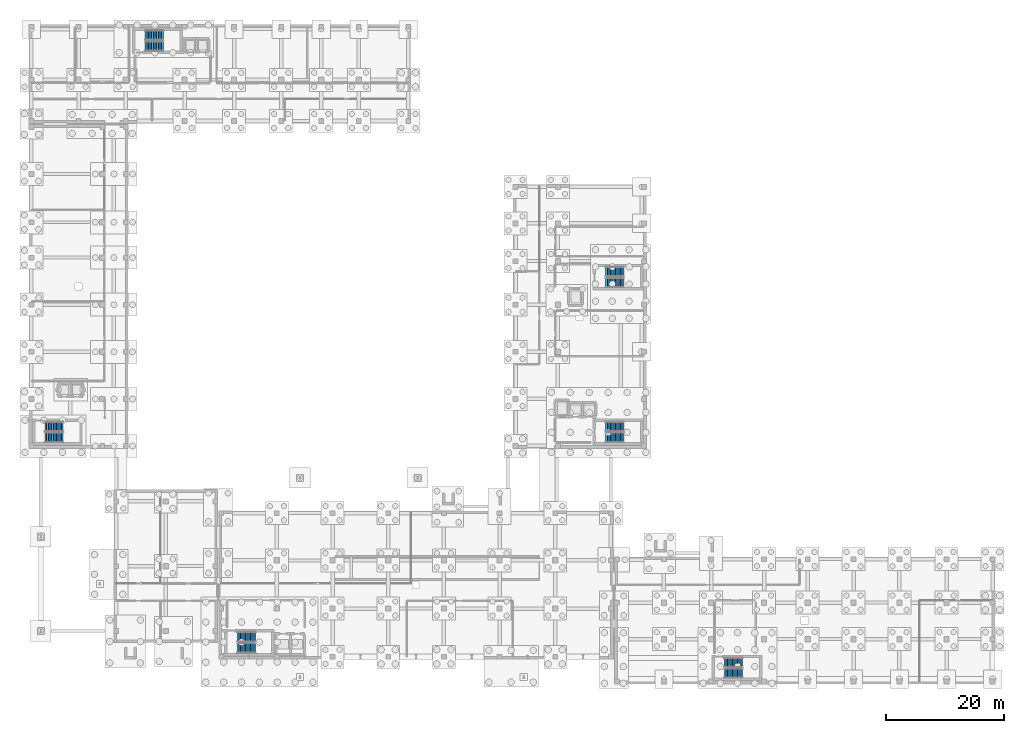
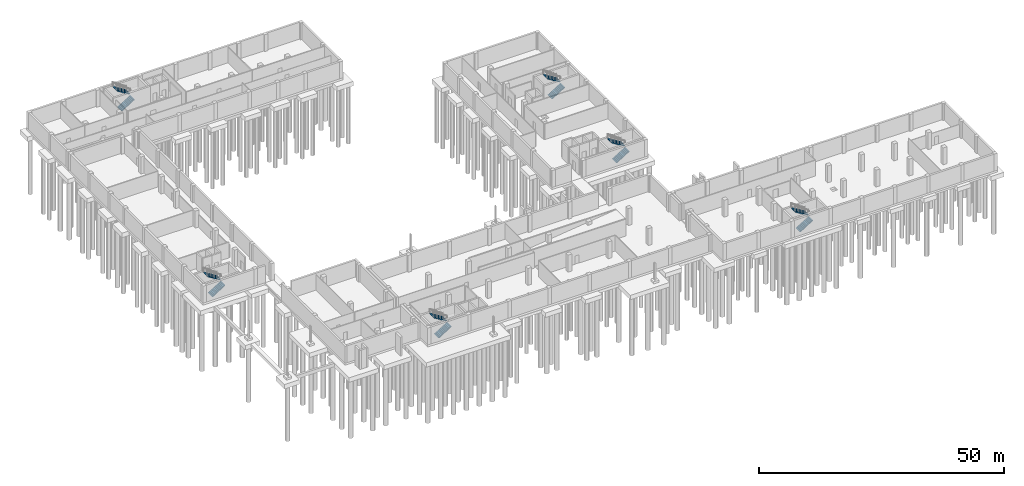
# One storey, part 24 of 31: 12 stair flights, 6 elements without a shape of their own.
"""IFC4 building model written with IfcOpenShell, lengths in metres."""

from ifc_helpers import new_model, si_unit, direction, frame, origin, place, context, subcontext, project, spatial, polyline, outline, extrude, material, type_object, element, aggregate, save


model = new_model("IFC4")

# Units and contexts
model_context = context("Model", 3, precision=1e-05, world=origin(), true_north=direction((0.0, 1.0)))
body_context = subcontext(model_context, "Body", "Model", "MODEL_VIEW")
ifc_project = project(units=[si_unit("LENGTHUNIT", "METRE"), si_unit("AREAUNIT", "SQUARE_METRE"), si_unit("VOLUMEUNIT", "CUBIC_METRE"), si_unit("PLANEANGLEUNIT", "RADIAN"), si_unit("MASSUNIT", "GRAM", prefix="KILO")], contexts=[model_context])

# Site, building, storey
site_placement = place(None, origin())
site = spatial("IfcSite", under=ifc_project, at=site_placement, CompositionType="ELEMENT")
building_placement = place(site_placement, origin())
building = spatial("IfcBuilding", under=site, at=building_placement, Name="Qalavern Law Courts", CompositionType="ELEMENT")
storey_placement = place(building_placement, frame((0.0, 0.0, -8.39990234375)))
storey = spatial("IfcBuildingStorey", under=building, at=storey_placement, Name="B2", CompositionType="ELEMENT", Elevation=-8.39990234375)

# Stair, stair flights
ifc_material = material(Name="Concrete C35/45", Category="concrete")
stair_type_1 = type_object("IfcStairType", Name="INT-STAIR-1650", PredefinedType="HALF_TURN_STAIR", material=ifc_material)
stair_1_placement = place(storey_placement, origin())
stair_1 = element("IfcStair", 1, at=stair_1_placement, inside=storey, type_object=stair_type_1, Name="B2 ST-K5", PredefinedType="HALF_TURN_STAIR")
stair_flight_type_1 = type_object("IfcStairFlightType", Name="INT-FLIGHT-1650", PredefinedType="STRAIGHT", material=ifc_material)
stair_flight_1_placement = place(storey_placement, frame((120.050048828125, 2.824951171875, 0.0), z_axis=(0.0, 0.0, 1.0), x_axis=(1.0, 0.0, 0.0)))
stair_flight_1 = element("IfcStairFlight", 2, at=stair_flight_1_placement, type_object=stair_flight_type_1, Name="ST-K5 flight 1", NumberOfRisers=12, NumberOfTreads=11, PredefinedType="STRAIGHT", RiserHeight=0.175, TreadLength=0.28, context=body_context, shape_type="SweptSolid", body=[
    extrude(outline(polyline([(0.0, 0.0), (0.0, 0.175048828125), (0.280029296875, 0.175048828125), (0.280029296875, 0.35009765625), (0.56005859375, 0.35009765625), (0.56005859375, 0.52490234375), (0.840087890625, 0.52490234375), (0.840087890625, 0.699951171875), (1.1201171875, 0.699951171875), (1.1201171875, 0.875), (1.39990234375, 0.875), (1.39990234375, 1.050048828125), (1.679931640625, 1.050048828125), (1.679931640625, 1.22509765625), (1.9599609375, 1.22509765625), (1.9599609375, 1.39990234375), (2.239990234375, 1.39990234375), (2.239990234375, 1.574951171875), (2.52001953125, 1.574951171875), (2.52001953125, 1.75), (2.800048828125, 1.75), (2.800048828125, 1.925048828125), (3.080078125, 1.925048828125), (3.080078125, 2.10009765625), (3.080078125, 1.748291015625), (0.28271484375, 0.0), (0.0, 0.0)])), frame((0.0, 0.824951171875, 0.0), z_axis=(0.0, -1.0, 0.0), x_axis=(1.0, 0.0, 0.0)), (0.0, 0.0, 1.0), 1.64990234375),
])
stair_flight_2_placement = place(storey_placement, frame((123.1298828125, 4.625, 2.099853515625), z_axis=(0.0, 0.0, 1.0), x_axis=(-1.0, 0.0, 0.0)))
stair_flight_2 = element("IfcStairFlight", 3, at=stair_flight_2_placement, type_object=stair_flight_type_1, Name="ST-K5 flight 2", NumberOfRisers=12, NumberOfTreads=11, PredefinedType="STRAIGHT", RiserHeight=0.175, TreadLength=0.28, context=body_context, shape_type="SweptSolid", body=[
    extrude(outline(polyline([(0.0, 0.0), (0.0, 0.175048828125), (0.280029296875, 0.175048828125), (0.280029296875, 0.35009765625), (0.56005859375, 0.35009765625), (0.56005859375, 0.52490234375), (0.840087890625, 0.52490234375), (0.840087890625, 0.699951171875), (1.1201171875, 0.699951171875), (1.1201171875, 0.875), (1.39990234375, 0.875), (1.39990234375, 1.050048828125), (1.679931640625, 1.050048828125), (1.679931640625, 1.22509765625), (1.9599609375, 1.22509765625), (1.9599609375, 1.39990234375), (2.239990234375, 1.39990234375), (2.239990234375, 1.574951171875), (2.52001953125, 1.574951171875), (2.52001953125, 1.75), (2.800048828125, 1.75), (2.800048828125, 1.925048828125), (3.080078125, 1.925048828125), (3.080078125, 2.10009765625), (3.080078125, 1.748291015625), (0.28271484375, 0.0), (0.0, 0.0)])), frame((0.0, 0.824951171875, 0.0), z_axis=(0.0, -1.0, 0.0), x_axis=(1.0, 0.0, 0.0)), (0.0, 0.0, 1.0), 1.64990234375),
])
aggregate(stair_1, [stair_flight_1, stair_flight_2])

stair_type_2 = type_object("IfcStairType", Name="INT-STAIR-1700", PredefinedType="HALF_TURN_STAIR", material=ifc_material)
stair_2_placement = place(storey_placement, origin())
stair_2 = element("IfcStair", 4, at=stair_2_placement, inside=storey, type_object=stair_type_2, Name="B2 ST-K1A", PredefinedType="HALF_TURN_STAIR")
stair_flight_type_2 = type_object("IfcStairFlightType", Name="INT-FLIGHT-1700", PredefinedType="STRAIGHT", material=ifc_material)
stair_flight_3_placement = place(storey_placement, frame((99.89990234375, 42.85009765625, 0.0), z_axis=(0.0, 0.0, 1.0), x_axis=(1.0, 0.0, 0.0)))
stair_flight_3 = element("IfcStairFlight", 5, at=stair_flight_3_placement, type_object=stair_flight_type_2, Name="ST-K1A flight 1", NumberOfRisers=12, NumberOfTreads=11, PredefinedType="STRAIGHT", RiserHeight=0.175, TreadLength=0.28, context=body_context, shape_type="SweptSolid", body=[
    extrude(outline(polyline([(0.0, 0.0), (0.0, 0.175048828125), (0.280029296875, 0.175048828125), (0.280029296875, 0.35009765625), (0.56005859375, 0.35009765625), (0.56005859375, 0.52490234375), (0.840087890625, 0.52490234375), (0.840087890625, 0.699951171875), (1.1201171875, 0.699951171875), (1.1201171875, 0.875), (1.39990234375, 0.875), (1.39990234375, 1.050048828125), (1.679931640625, 1.050048828125), (1.679931640625, 1.22509765625), (1.9599609375, 1.22509765625), (1.9599609375, 1.39990234375), (2.239990234375, 1.39990234375), (2.239990234375, 1.574951171875), (2.52001953125, 1.574951171875), (2.52001953125, 1.75), (2.800048828125, 1.75), (2.800048828125, 1.925048828125), (3.080078125, 1.925048828125), (3.080078125, 2.10009765625), (3.080078125, 1.748291015625), (0.28271484375, 0.0), (0.0, 0.0)])), frame((0.0, 0.85009765625, 0.0), z_axis=(0.0, -1.0, 0.0), x_axis=(1.0, 0.0, 0.0)), (0.0, 0.0, 1.0), 1.699951171875),
])
stair_flight_4_placement = place(storey_placement, frame((102.97998046875, 44.699951171875, 2.099853515625), z_axis=(0.0, 0.0, 1.0), x_axis=(-1.0, 0.0, 0.0)))
stair_flight_4 = element("IfcStairFlight", 6, at=stair_flight_4_placement, type_object=stair_flight_type_2, Name="ST-K1A flight 2", NumberOfRisers=12, NumberOfTreads=11, PredefinedType="STRAIGHT", RiserHeight=0.175, TreadLength=0.28, context=body_context, shape_type="SweptSolid", body=[
    extrude(outline(polyline([(0.0, 0.0), (0.0, 0.175048828125), (0.280029296875, 0.175048828125), (0.280029296875, 0.35009765625), (0.56005859375, 0.35009765625), (0.56005859375, 0.52490234375), (0.840087890625, 0.52490234375), (0.840087890625, 0.699951171875), (1.1201171875, 0.699951171875), (1.1201171875, 0.875), (1.39990234375, 0.875), (1.39990234375, 1.050048828125), (1.679931640625, 1.050048828125), (1.679931640625, 1.22509765625), (1.9599609375, 1.22509765625), (1.9599609375, 1.39990234375), (2.239990234375, 1.39990234375), (2.239990234375, 1.574951171875), (2.52001953125, 1.574951171875), (2.52001953125, 1.75), (2.800048828125, 1.75), (2.800048828125, 1.925048828125), (3.080078125, 1.925048828125), (3.080078125, 2.10009765625), (3.080078125, 1.748291015625), (0.28271484375, 0.0), (0.0, 0.0)])), frame((0.0, 0.85009765625, 0.0), z_axis=(0.0, -1.0, 0.0), x_axis=(1.0, 0.0, 0.0)), (0.0, 0.0, 1.0), 1.699951171875),
])
aggregate(stair_2, [stair_flight_3, stair_flight_4])

stair_3_placement = place(storey_placement, origin())
stair_3 = element("IfcStair", 7, at=stair_3_placement, inside=storey, type_object=stair_type_2, Name="B2 ST-K1B", PredefinedType="HALF_TURN_STAIR")
stair_flight_5_placement = place(storey_placement, frame((99.89990234375, 69.14990234375, 0.0), z_axis=(0.0, 0.0, 1.0), x_axis=(1.0, 0.0, 0.0)))
stair_flight_5 = element("IfcStairFlight", 8, at=stair_flight_5_placement, type_object=stair_flight_type_2, Name="ST-K1B flight 1", NumberOfRisers=12, NumberOfTreads=11, PredefinedType="STRAIGHT", RiserHeight=0.175, TreadLength=0.28, context=body_context, shape_type="SweptSolid", body=[
    extrude(outline(polyline([(0.0, 0.0), (0.0, 0.175048828125), (0.280029296875, 0.175048828125), (0.280029296875, 0.35009765625), (0.56005859375, 0.35009765625), (0.56005859375, 0.52490234375), (0.840087890625, 0.52490234375), (0.840087890625, 0.699951171875), (1.1201171875, 0.699951171875), (1.1201171875, 0.875), (1.39990234375, 0.875), (1.39990234375, 1.050048828125), (1.679931640625, 1.050048828125), (1.679931640625, 1.22509765625), (1.9599609375, 1.22509765625), (1.9599609375, 1.39990234375), (2.239990234375, 1.39990234375), (2.239990234375, 1.574951171875), (2.52001953125, 1.574951171875), (2.52001953125, 1.75), (2.800048828125, 1.75), (2.800048828125, 1.925048828125), (3.080078125, 1.925048828125), (3.080078125, 2.10009765625), (3.080078125, 1.748291015625), (0.28271484375, 0.0), (0.0, 0.0)])), frame((0.0, 0.85009765625, 0.0), z_axis=(0.0, -1.0, 0.0), x_axis=(1.0, 0.0, 0.0)), (0.0, 0.0, 1.0), 1.699951171875),
])
stair_flight_6_placement = place(storey_placement, frame((102.97998046875, 71.0, 2.099853515625), z_axis=(0.0, 0.0, 1.0), x_axis=(-1.0, 0.0, 0.0)))
stair_flight_6 = element("IfcStairFlight", 9, at=stair_flight_6_placement, type_object=stair_flight_type_2, Name="ST-K1B flight 2", NumberOfRisers=12, NumberOfTreads=11, PredefinedType="STRAIGHT", RiserHeight=0.175, TreadLength=0.28, context=body_context, shape_type="SweptSolid", body=[
    extrude(outline(polyline([(0.0, 0.0), (0.0, 0.175048828125), (0.280029296875, 0.175048828125), (0.280029296875, 0.35009765625), (0.56005859375, 0.35009765625), (0.56005859375, 0.52490234375), (0.840087890625, 0.52490234375), (0.840087890625, 0.699951171875), (1.1201171875, 0.699951171875), (1.1201171875, 0.875), (1.39990234375, 0.875), (1.39990234375, 1.050048828125), (1.679931640625, 1.050048828125), (1.679931640625, 1.22509765625), (1.9599609375, 1.22509765625), (1.9599609375, 1.39990234375), (2.239990234375, 1.39990234375), (2.239990234375, 1.574951171875), (2.52001953125, 1.574951171875), (2.52001953125, 1.75), (2.800048828125, 1.75), (2.800048828125, 1.925048828125), (3.080078125, 1.925048828125), (3.080078125, 2.10009765625), (3.080078125, 1.748291015625), (0.28271484375, 0.0), (0.0, 0.0)])), frame((0.0, 0.85009765625, 0.0), z_axis=(0.0, -1.0, 0.0), x_axis=(1.0, 0.0, 0.0)), (0.0, 0.0, 1.0), 1.699951171875),
])
aggregate(stair_3, [stair_flight_5, stair_flight_6])

stair_4_placement = place(storey_placement, origin())
stair_4 = element("IfcStair", 10, at=stair_4_placement, inside=storey, type_object=stair_type_2, Name="B2 ST-K2", PredefinedType="HALF_TURN_STAIR")
stair_flight_7_placement = place(storey_placement, frame((4.699951171875, 42.85009765625, 0.0), z_axis=(0.0, 0.0, 1.0), x_axis=(1.0, 0.0, 0.0)))
stair_flight_7 = element("IfcStairFlight", 11, at=stair_flight_7_placement, type_object=stair_flight_type_2, Name="ST-K2 flight 1", NumberOfRisers=12, NumberOfTreads=11, PredefinedType="STRAIGHT", RiserHeight=0.175, TreadLength=0.28, context=body_context, shape_type="SweptSolid", body=[
    extrude(outline(polyline([(0.0, 0.0), (0.0, 0.175048828125), (0.280029296875, 0.175048828125), (0.280029296875, 0.35009765625), (0.56005859375, 0.35009765625), (0.56005859375, 0.52490234375), (0.840087890625, 0.52490234375), (0.840087890625, 0.699951171875), (1.1201171875, 0.699951171875), (1.1201171875, 0.875), (1.39990234375, 0.875), (1.39990234375, 1.050048828125), (1.679931640625, 1.050048828125), (1.679931640625, 1.22509765625), (1.9599609375, 1.22509765625), (1.9599609375, 1.39990234375), (2.239990234375, 1.39990234375), (2.239990234375, 1.574951171875), (2.52001953125, 1.574951171875), (2.52001953125, 1.75), (2.800048828125, 1.75), (2.800048828125, 1.925048828125), (3.080078125, 1.925048828125), (3.080078125, 2.10009765625), (3.080078125, 1.748291015625), (0.28271484375, 0.0), (0.0, 0.0)])), frame((0.0, 0.85009765625, 0.0), z_axis=(0.0, -1.0, 0.0), x_axis=(1.0, 0.0, 0.0)), (0.0, 0.0, 1.0), 1.699951171875),
])
stair_flight_8_placement = place(storey_placement, frame((7.780029296875, 44.699951171875, 2.099853515625), z_axis=(0.0, 0.0, 1.0), x_axis=(-1.0, 0.0, 0.0)))
stair_flight_8 = element("IfcStairFlight", 12, at=stair_flight_8_placement, type_object=stair_flight_type_2, Name="ST-K2 flight 2", NumberOfRisers=12, NumberOfTreads=11, PredefinedType="STRAIGHT", RiserHeight=0.175, TreadLength=0.28, context=body_context, shape_type="SweptSolid", body=[
    extrude(outline(polyline([(0.0, 0.0), (0.0, 0.175048828125), (0.280029296875, 0.175048828125), (0.280029296875, 0.35009765625), (0.56005859375, 0.35009765625), (0.56005859375, 0.52490234375), (0.840087890625, 0.52490234375), (0.840087890625, 0.699951171875), (1.1201171875, 0.699951171875), (1.1201171875, 0.875), (1.39990234375, 0.875), (1.39990234375, 1.050048828125), (1.679931640625, 1.050048828125), (1.679931640625, 1.22509765625), (1.9599609375, 1.22509765625), (1.9599609375, 1.39990234375), (2.239990234375, 1.39990234375), (2.239990234375, 1.574951171875), (2.52001953125, 1.574951171875), (2.52001953125, 1.75), (2.800048828125, 1.75), (2.800048828125, 1.925048828125), (3.080078125, 1.925048828125), (3.080078125, 2.10009765625), (3.080078125, 1.748291015625), (0.28271484375, 0.0), (0.0, 0.0)])), frame((0.0, 0.85009765625, 0.0), z_axis=(0.0, -1.0, 0.0), x_axis=(1.0, 0.0, 0.0)), (0.0, 0.0, 1.0), 1.699951171875),
])
aggregate(stair_4, [stair_flight_7, stair_flight_8])

stair_5_placement = place(storey_placement, origin())
stair_5 = element("IfcStair", 13, at=stair_5_placement, inside=storey, type_object=stair_type_2, Name="B2 ST-K3", PredefinedType="HALF_TURN_STAIR")
stair_flight_9_placement = place(storey_placement, frame((21.699951171875, 109.300048828125, 0.0), z_axis=(0.0, 0.0, 1.0), x_axis=(1.0, 0.0, 0.0)))
stair_flight_9 = element("IfcStairFlight", 14, at=stair_flight_9_placement, type_object=stair_flight_type_2, Name="ST-K3 flight 1", NumberOfRisers=12, NumberOfTreads=11, PredefinedType="STRAIGHT", RiserHeight=0.175, TreadLength=0.28, context=body_context, shape_type="SweptSolid", body=[
    extrude(outline(polyline([(0.0, 0.0), (0.0, 0.175048828125), (0.280029296875, 0.175048828125), (0.280029296875, 0.35009765625), (0.56005859375, 0.35009765625), (0.56005859375, 0.52490234375), (0.840087890625, 0.52490234375), (0.840087890625, 0.699951171875), (1.1201171875, 0.699951171875), (1.1201171875, 0.875), (1.39990234375, 0.875), (1.39990234375, 1.050048828125), (1.679931640625, 1.050048828125), (1.679931640625, 1.22509765625), (1.9599609375, 1.22509765625), (1.9599609375, 1.39990234375), (2.239990234375, 1.39990234375), (2.239990234375, 1.574951171875), (2.52001953125, 1.574951171875), (2.52001953125, 1.75), (2.800048828125, 1.75), (2.800048828125, 1.925048828125), (3.080078125, 1.925048828125), (3.080078125, 2.10009765625), (3.080078125, 1.748291015625), (0.28271484375, 0.0), (0.0, 0.0)])), frame((0.0, 0.85009765625, 0.0), z_axis=(0.0, -1.0, 0.0), x_axis=(1.0, 0.0, 0.0)), (0.0, 0.0, 1.0), 1.699951171875),
])
stair_flight_10_placement = place(storey_placement, frame((24.780029296875, 111.14990234375, 2.099853515625), z_axis=(0.0, 0.0, 1.0), x_axis=(-1.0, 0.0, 0.0)))
stair_flight_10 = element("IfcStairFlight", 15, at=stair_flight_10_placement, type_object=stair_flight_type_2, Name="ST-K3 flight 2", NumberOfRisers=12, NumberOfTreads=11, PredefinedType="STRAIGHT", RiserHeight=0.175, TreadLength=0.28, context=body_context, shape_type="SweptSolid", body=[
    extrude(outline(polyline([(0.0, 0.0), (0.0, 0.175048828125), (0.280029296875, 0.175048828125), (0.280029296875, 0.35009765625), (0.56005859375, 0.35009765625), (0.56005859375, 0.52490234375), (0.840087890625, 0.52490234375), (0.840087890625, 0.699951171875), (1.1201171875, 0.699951171875), (1.1201171875, 0.875), (1.39990234375, 0.875), (1.39990234375, 1.050048828125), (1.679931640625, 1.050048828125), (1.679931640625, 1.22509765625), (1.9599609375, 1.22509765625), (1.9599609375, 1.39990234375), (2.239990234375, 1.39990234375), (2.239990234375, 1.574951171875), (2.52001953125, 1.574951171875), (2.52001953125, 1.75), (2.800048828125, 1.75), (2.800048828125, 1.925048828125), (3.080078125, 1.925048828125), (3.080078125, 2.10009765625), (3.080078125, 1.748291015625), (0.28271484375, 0.0), (0.0, 0.0)])), frame((0.0, 0.85009765625, 0.0), z_axis=(0.0, -1.0, 0.0), x_axis=(1.0, 0.0, 0.0)), (0.0, 0.0, 1.0), 1.699951171875),
])
aggregate(stair_5, [stair_flight_9, stair_flight_10])

stair_type_3 = type_object("IfcStairType", Name="INT-STAIR-1750", PredefinedType="HALF_TURN_STAIR", material=ifc_material)
stair_6_placement = place(storey_placement, origin())
stair_6 = element("IfcStair", 16, at=stair_6_placement, inside=storey, type_object=stair_type_3, Name="B2 ST-K4", PredefinedType="HALF_TURN_STAIR")
stair_flight_type_3 = type_object("IfcStairFlightType", Name="INT-FLIGHT-1750", PredefinedType="STRAIGHT", material=ifc_material)
stair_flight_11_placement = place(storey_placement, frame((37.35009765625, 7.074951171875, 0.0), z_axis=(0.0, 0.0, 1.0), x_axis=(1.0, 0.0, 0.0)))
stair_flight_11 = element("IfcStairFlight", 17, at=stair_flight_11_placement, type_object=stair_flight_type_3, Name="ST-K4 flight 1", NumberOfRisers=12, NumberOfTreads=11, PredefinedType="STRAIGHT", RiserHeight=0.175, TreadLength=0.28, context=body_context, shape_type="SweptSolid", body=[
    extrude(outline(polyline([(0.0, 0.0), (0.0, 0.175048828125), (0.280029296875, 0.175048828125), (0.280029296875, 0.35009765625), (0.56005859375, 0.35009765625), (0.56005859375, 0.52490234375), (0.840087890625, 0.52490234375), (0.840087890625, 0.699951171875), (1.1201171875, 0.699951171875), (1.1201171875, 0.875), (1.39990234375, 0.875), (1.39990234375, 1.050048828125), (1.679931640625, 1.050048828125), (1.679931640625, 1.22509765625), (1.9599609375, 1.22509765625), (1.9599609375, 1.39990234375), (2.239990234375, 1.39990234375), (2.239990234375, 1.574951171875), (2.52001953125, 1.574951171875), (2.52001953125, 1.75), (2.800048828125, 1.75), (2.800048828125, 1.925048828125), (3.080078125, 1.925048828125), (3.080078125, 2.10009765625), (3.080078125, 1.748291015625), (0.28271484375, 0.0), (0.0, 0.0)])), frame((0.0, 0.875, 0.0), z_axis=(0.0, -1.0, 0.0), x_axis=(1.0, 0.0, 0.0)), (0.0, 0.0, 1.0), 1.75),
])
stair_flight_12_placement = place(storey_placement, frame((40.429931640625, 8.97509765625, 2.099853515625), z_axis=(0.0, 0.0, 1.0), x_axis=(-1.0, 0.0, 0.0)))
stair_flight_12 = element("IfcStairFlight", 18, at=stair_flight_12_placement, type_object=stair_flight_type_3, Name="ST-K4 flight 2", NumberOfRisers=12, NumberOfTreads=11, PredefinedType="STRAIGHT", RiserHeight=0.175, TreadLength=0.28, context=body_context, shape_type="SweptSolid", body=[
    extrude(outline(polyline([(0.0, 0.0), (0.0, 0.175048828125), (0.280029296875, 0.175048828125), (0.280029296875, 0.35009765625), (0.56005859375, 0.35009765625), (0.56005859375, 0.52490234375), (0.840087890625, 0.52490234375), (0.840087890625, 0.699951171875), (1.1201171875, 0.699951171875), (1.1201171875, 0.875), (1.39990234375, 0.875), (1.39990234375, 1.050048828125), (1.679931640625, 1.050048828125), (1.679931640625, 1.22509765625), (1.9599609375, 1.22509765625), (1.9599609375, 1.39990234375), (2.239990234375, 1.39990234375), (2.239990234375, 1.574951171875), (2.52001953125, 1.574951171875), (2.52001953125, 1.75), (2.800048828125, 1.75), (2.800048828125, 1.925048828125), (3.080078125, 1.925048828125), (3.080078125, 2.10009765625), (3.080078125, 1.748291015625), (0.28271484375, 0.0), (0.0, 0.0)])), frame((0.0, 0.875, 0.0), z_axis=(0.0, -1.0, 0.0), x_axis=(1.0, 0.0, 0.0)), (0.0, 0.0, 1.0), 1.75),
])
aggregate(stair_6, [stair_flight_11, stair_flight_12])

save(model, "model.ifc")
